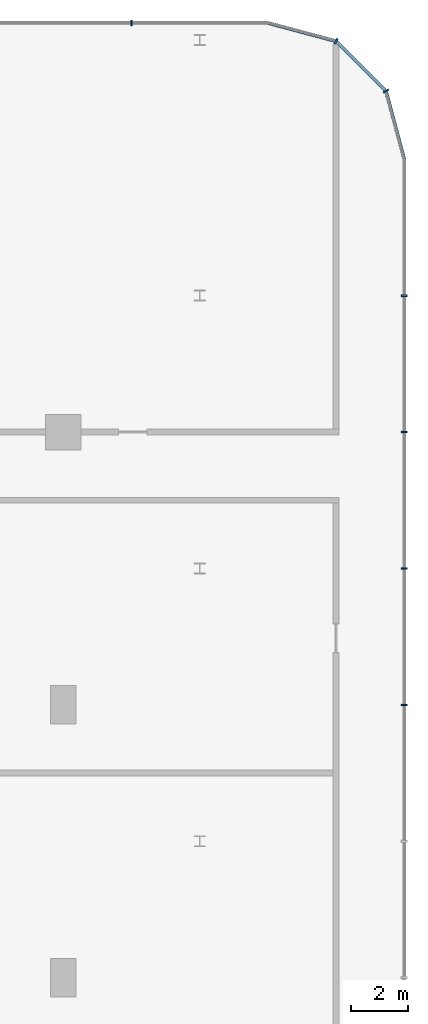
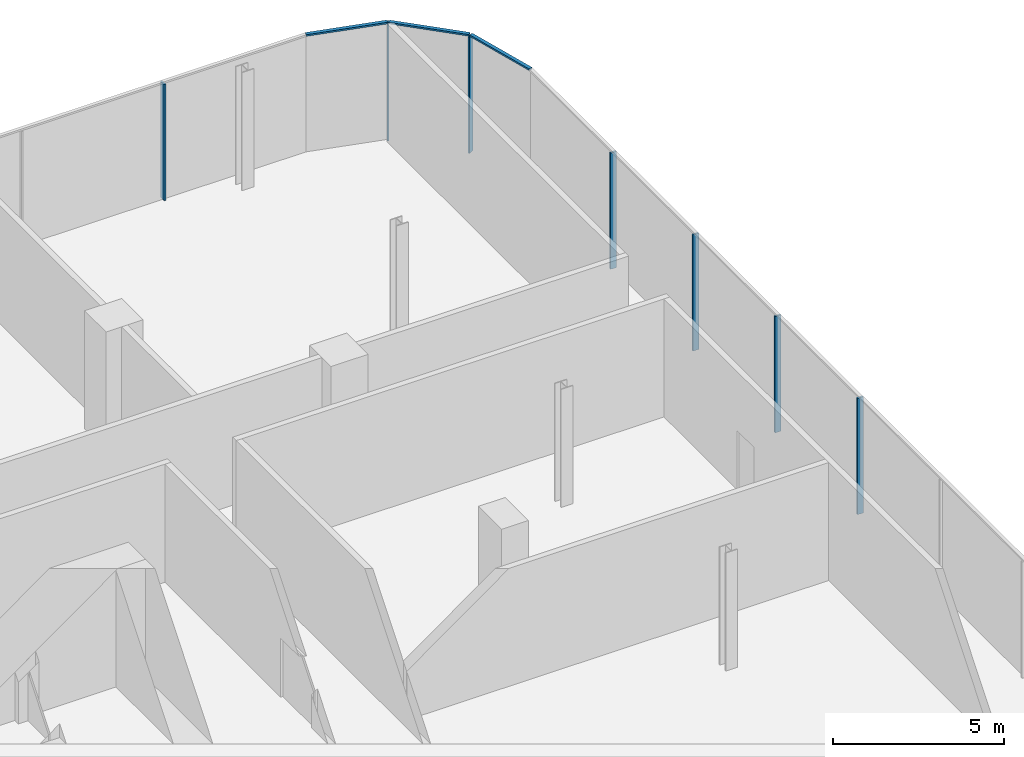
# One storey, part 21 of 43: 10 members, 3 elements without a shape of their own.
"""IFC4 building model written with IfcOpenShell, lengths in metres."""

from ifc_helpers import new_model, si_unit, direction, frame, origin, origin_2d, place, context, subcontext, project, spatial, rectangle, extrude, material, layer, layer_set, material_profile, profile_set, type_object, element, aggregate, save


model = new_model("IFC4")

# Units and contexts
model_context = context("Model", 3, precision=1e-05, world=origin(), true_north=direction((0.0, 1.0)))
body_context = subcontext(model_context, "Body", "Model", "MODEL_VIEW")
ifc_project = project(units=[si_unit("LENGTHUNIT", "METRE"), si_unit("AREAUNIT", "SQUARE_METRE"), si_unit("VOLUMEUNIT", "CUBIC_METRE"), si_unit("PLANEANGLEUNIT", "RADIAN"), si_unit("MASSUNIT", "GRAM", prefix="KILO")], contexts=[model_context])

# Site, building, storey
site_placement = place(None, origin())
site = spatial("IfcSite", under=ifc_project, at=site_placement, CompositionType="ELEMENT")
building_placement = place(site_placement, origin())
building = spatial("IfcBuilding", under=site, at=building_placement, Name="Madar Terraces", CompositionType="ELEMENT")
storey_placement = place(building_placement, frame((0.0, 0.0, 10.5)))
storey = spatial("IfcBuildingStorey", under=building, at=storey_placement, Name="L02", CompositionType="ELEMENT", Elevation=10.5)

# Curtain wall, members
ifc_material_1 = material(Name="Glass, clear low-iron, with black aluminium frame", Category="aluminium")
ifc_layer = layer(ifc_material_1, 0.199951171875)
ifc_layer_set = layer_set([ifc_layer], Name="Facade curtain wall, shopfront glazing")
curtain_wall_type = type_object("IfcCurtainWallType", Name="Facade curtain wall, shopfront glazing", PredefinedType="NOTDEFINED", material=ifc_layer_set)
curtain_wall_1_placement = place(storey_placement, origin())
curtain_wall_1 = element("IfcCurtainWall", 1, at=curtain_wall_1_placement, inside=storey, type_object=curtain_wall_type, Name="Outer skin curtain wall east bay 1", PredefinedType="NOTDEFINED")
ifc_material_2 = material(Name="Aluminium, black anodised", Category="aluminium")
ifc_material_profile_1 = material_profile(ifc_material_2, rectangle(XDim=0.199951171875, YDim=0.06005859375, at=origin_2d()), Name="Facade mullion 60x200")
ifc_profile_set_1 = profile_set([ifc_material_profile_1], Name="Aluminium, black anodised")
member_type_1 = type_object("IfcMemberType", Name="Facade mullion 60x200", PredefinedType="MULLION", material=ifc_profile_set_1)
member_1_placement = place(storey_placement, frame((69.60009765625, 33.60009765625, 0.0), z_axis=(0.0, 0.0, 1.0), x_axis=(-1.0, 0.0, 0.0)))
member_1 = element("IfcMember", 2, at=member_1_placement, type_object=member_type_1, Name="Mullion 9", PredefinedType="MULLION", context=body_context, shape_type="SweptSolid", body=[
    extrude(rectangle(XDim=0.199951171875, YDim=0.06005859375, at=origin_2d()), origin(), (0.0, 0.0, 1.0), 4.139892578125),
])
member_2_placement = place(storey_placement, frame((69.60009765625, 38.39990234375, 0.0), z_axis=(0.0, 0.0, 1.0), x_axis=(-1.0, 0.0, 0.0)))
member_2 = element("IfcMember", 3, at=member_2_placement, type_object=member_type_1, Name="Mullion 10", PredefinedType="MULLION", context=body_context, shape_type="SweptSolid", body=[
    extrude(rectangle(XDim=0.199951171875, YDim=0.06005859375, at=origin_2d()), origin(), (0.0, 0.0, 1.0), 4.139892578125),
])
member_3_placement = place(storey_placement, frame((69.60009765625, 43.199951171875, 0.0), z_axis=(0.0, 0.0, 1.0), x_axis=(-1.0, 0.0, 0.0)))
member_3 = element("IfcMember", 4, at=member_3_placement, type_object=member_type_1, Name="Mullion 11", PredefinedType="MULLION", context=body_context, shape_type="SweptSolid", body=[
    extrude(rectangle(XDim=0.199951171875, YDim=0.06005859375, at=origin_2d()), origin(), (0.0, 0.0, 1.0), 4.139892578125),
])
member_4_placement = place(storey_placement, frame((69.60009765625, 48.0, 0.0), z_axis=(0.0, 0.0, 1.0), x_axis=(-1.0, 0.0, 0.0)))
member_4 = element("IfcMember", 5, at=member_4_placement, type_object=member_type_1, Name="Mullion 12", PredefinedType="MULLION", context=body_context, shape_type="SweptSolid", body=[
    extrude(rectangle(XDim=0.199951171875, YDim=0.06005859375, at=origin_2d()), origin(), (0.0, 0.0, 1.0), 4.139892578125),
])
aggregate(curtain_wall_1, [member_1, member_2, member_3, member_4])

# Curtain wall, member
curtain_wall_2_placement = place(storey_placement, origin())
curtain_wall_2 = element("IfcCurtainWall", 6, at=curtain_wall_2_placement, inside=storey, type_object=curtain_wall_type, Name="Outer skin curtain wall north bay 1", PredefinedType="NOTDEFINED")
member_5_placement = place(storey_placement, frame((60.0, 57.60009765625, 0.0), z_axis=(0.0, 0.0, 1.0), x_axis=(0.0, -1.0, 0.0)))
member_5 = element("IfcMember", 7, at=member_5_placement, type_object=member_type_1, Name="Mullion 1", PredefinedType="MULLION", context=body_context, shape_type="SweptSolid", body=[
    extrude(rectangle(XDim=0.199951171875, YDim=0.06005859375, at=origin_2d()), origin(), (0.0, 0.0, 1.0), 4.139892578125),
])
aggregate(curtain_wall_2, [member_5])

# Curtain wall, members
curtain_wall_3_placement = place(storey_placement, origin())
curtain_wall_3 = element("IfcCurtainWall", 8, at=curtain_wall_3_placement, inside=storey, type_object=curtain_wall_type, Name="Outer skin curtain wall north-east corner", PredefinedType="NOTDEFINED")
member_6_placement = place(storey_placement, frame((68.95703125, 55.199951171875, 0.0), z_axis=(0.0, 0.0, 1.0), x_axis=(-0.866025409797, -0.499999989586, 0.0)))
member_6 = element("IfcMember", 9, at=member_6_placement, type_object=member_type_1, Name="Mullion 1", PredefinedType="MULLION", context=body_context, shape_type="SweptSolid", body=[
    extrude(rectangle(XDim=0.199951171875, YDim=0.06005859375, at=origin_2d()), origin(), (0.0, 0.0, 1.0), 4.139892578125),
])
member_7_placement = place(storey_placement, frame((67.199951171875, 56.95703125, 0.0), z_axis=(0.0, 0.0, 1.0), x_axis=(-0.499999989586, -0.866025409797, 0.0)))
member_7 = element("IfcMember", 10, at=member_7_placement, type_object=member_type_1, Name="Mullion 2", PredefinedType="MULLION", context=body_context, shape_type="SweptSolid", body=[
    extrude(rectangle(XDim=0.199951171875, YDim=0.06005859375, at=origin_2d()), origin(), (0.0, 0.0, 1.0), 4.139892578125),
])
ifc_material_3 = material(Name="Aluminium, black anodised", Category="aluminium")
ifc_material_profile_2 = material_profile(ifc_material_3, rectangle(XDim=0.1201171875, YDim=0.06005859375, at=origin_2d()), Name="Facade transom 60x120")
ifc_profile_set_2 = profile_set([ifc_material_profile_2], Name="Aluminium, black anodised")
member_type_2 = type_object("IfcMemberType", Name="Facade transom 60x120", PredefinedType="USERDEFINED", material=ifc_profile_set_2)
member_8_placement = place(storey_placement, frame((69.60009765625, 52.800048828125, 4.169921875), z_axis=(-0.258881906514, 0.965908980432, 0.0), x_axis=(-0.965908980432, -0.258881906514, 0.0)))
member_8 = element("IfcMember", 11, at=member_8_placement, type_object=member_type_2, Name="Transom 1", ObjectType="TRANSOM", PredefinedType="USERDEFINED", context=body_context, shape_type="SweptSolid", body=[
    extrude(rectangle(XDim=0.1201171875, YDim=0.06005859375, at=origin_2d()), origin(), (0.0, 0.0, 1.0), 2.454833984375),
])
member_9_placement = place(storey_placement, frame((68.935791015625, 55.22119140625, 4.169921875), z_axis=(-0.707106781187, 0.707106781187, 0.0), x_axis=(-0.707106781187, -0.707106781187, 0.0)))
member_9 = element("IfcMember", 12, at=member_9_placement, type_object=member_type_2, Name="Transom 2", ObjectType="TRANSOM", PredefinedType="USERDEFINED", context=body_context, shape_type="SweptSolid", body=[
    extrude(rectangle(XDim=0.1201171875, YDim=0.06005859375, at=origin_2d()), origin(), (0.0, 0.0, 1.0), 2.4248046875),
])
member_10_placement = place(storey_placement, frame((67.171142578125, 56.964599609375, 4.169921875), z_axis=(-0.965908980432, 0.258881906514, 0.0), x_axis=(-0.258881906514, -0.965908980432, 0.0)))
member_10 = element("IfcMember", 13, at=member_10_placement, type_object=member_type_2, Name="Transom 3", ObjectType="TRANSOM", PredefinedType="USERDEFINED", context=body_context, shape_type="SweptSolid", body=[
    extrude(rectangle(XDim=0.1201171875, YDim=0.06005859375, at=origin_2d()), origin(), (0.0, 0.0, 1.0), 2.454833984375),
])
aggregate(curtain_wall_3, [member_6, member_8, member_7, member_9, member_10])

save(model, "model.ifc")
